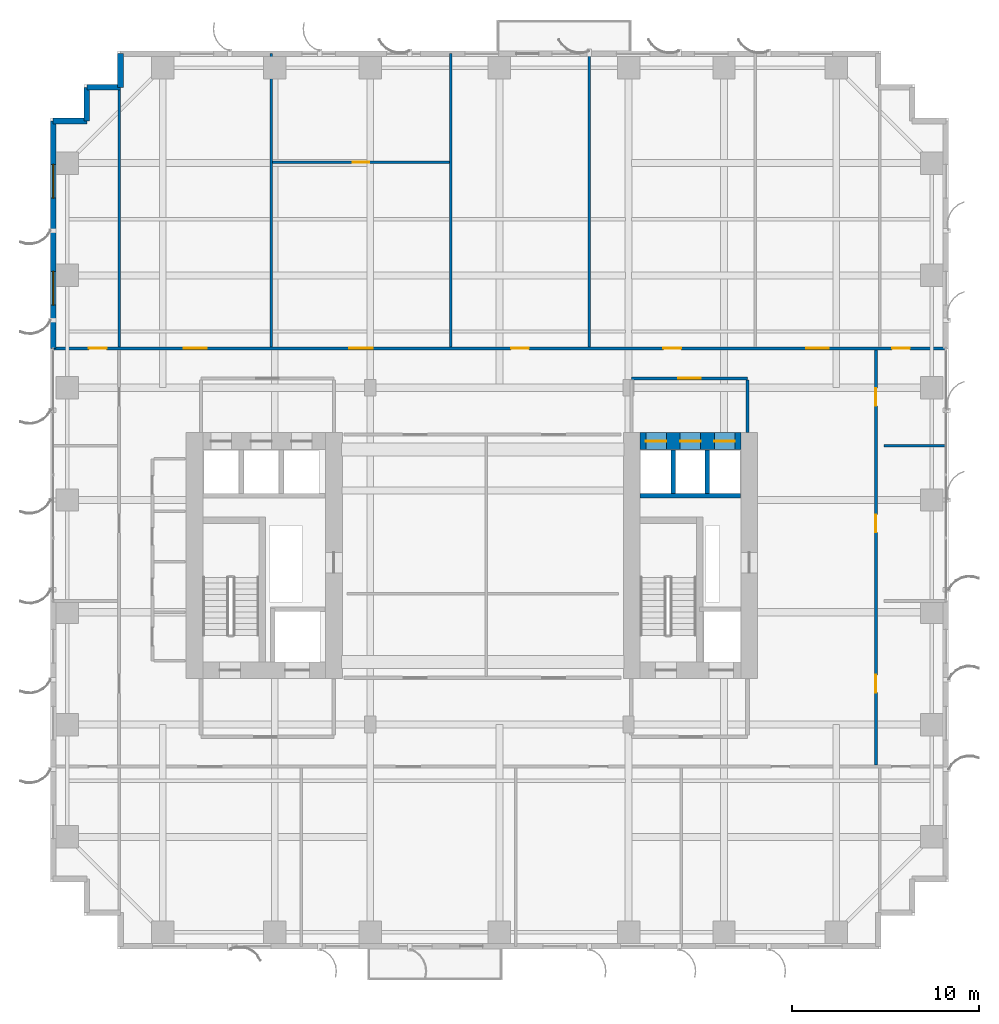
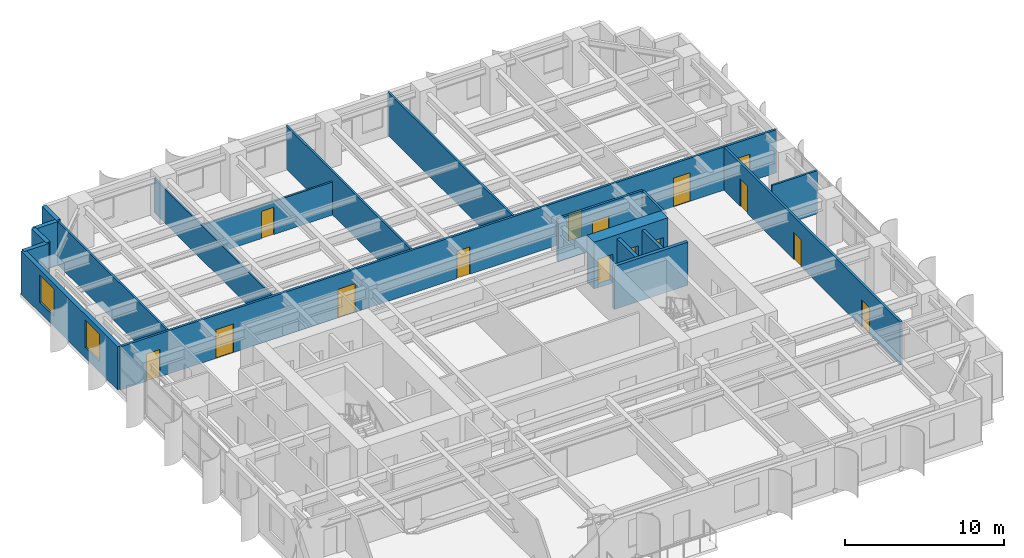
# One storey, part 11 of 16: 19 walls, 15 doors, 2 windows, 17 openings.
"""IFC4 building model written with IfcOpenShell, lengths in metres."""

from ifc_helpers import new_model, si_unit, direction, frame, frame_2d, origin, place, context, subcontext, project, spatial, rectangle, extrude, source, transform, mapped, material, layer, layer_set, type_object, element, fill, save


model = new_model("IFC4")

# Units and contexts
model_context = context("Model", 3, precision=1e-05, world=origin(), true_north=direction((0.0, 1.0)))
body_context = subcontext(model_context, "Body", "Model", "MODEL_VIEW")
ifc_project = project(units=[si_unit("LENGTHUNIT", "METRE"), si_unit("AREAUNIT", "SQUARE_METRE"), si_unit("VOLUMEUNIT", "CUBIC_METRE"), si_unit("PLANEANGLEUNIT", "RADIAN"), si_unit("MASSUNIT", "GRAM", prefix="KILO")], contexts=[model_context])

# Site, building, storey
site_placement = place(None, origin())
site = spatial("IfcSite", under=ifc_project, at=site_placement, CompositionType="ELEMENT")
building_placement = place(site_placement, origin())
building = spatial("IfcBuilding", under=site, at=building_placement, Name="Khoralis Quay Care Tower", CompositionType="ELEMENT")
storey_placement = place(building_placement, frame((0.0, 0.0, 29.699951171875)))
storey = spatial("IfcBuildingStorey", under=building, at=storey_placement, Name="L07", CompositionType="ELEMENT", Elevation=29.699951171875)

# Wall, openings, doors
ifc_material_1 = material(Name="Concrete C80/95", Category="concrete")
ifc_layer_1 = layer(ifc_material_1, 0.89990234375)
ifc_layer_set_1 = layer_set([ifc_layer_1], Name="Concrete C80/95")
wall_type_1 = type_object("IfcWallType", Name="WL-CORE-900", PredefinedType="SHEAR", material=ifc_layer_set_1)
wall_1_placement = place(storey_placement, frame((31.52001953125, 27.14990234375, 0.0), z_axis=(0.0, 0.0, 1.0), x_axis=(1.0, 0.0, 0.0)))
wall_1 = element("IfcWall", 1, at=wall_1_placement, inside=storey, type_object=wall_type_1, Name="L07 ECORE North Shear Wall", PredefinedType="SHEAR", context=body_context, shape_type="SweptSolid", body=[
    extrude(rectangle(XDim=5.3798828125, YDim=0.89990234375, at=frame_2d((2.68994140625, 0.0))), origin(), (0.0, 0.0, 1.0), 3.60009765625),
])
opening_1_placement = place(wall_1_placement, frame((0.300048828125, 0.0, 0.0)))
opening_1 = element("IfcOpeningElement", 2, at=opening_1_placement, cuts=wall_1, Name="Opening LD1", PredefinedType="OPENING", context=body_context, shape_type="SweptSolid", body=[
    extrude(rectangle(XDim=1.10009765625, YDim=2.199951171875, at=frame_2d((0.550048828125, 1.10009765625))), frame((0.0, 0.4599609375, 0.0), z_axis=(0.0, -1.0, 0.0), x_axis=(1.0, 0.0, 0.0)), (0.0, 0.0, 1.0), 0.919921875),
])
opening_2_placement = place(wall_1_placement, frame((2.1298828125, 0.0, 0.0)))
opening_2 = element("IfcOpeningElement", 3, at=opening_2_placement, cuts=wall_1, Name="Opening LD1", PredefinedType="OPENING", context=body_context, shape_type="SweptSolid", body=[
    extrude(rectangle(XDim=1.10009765625, YDim=2.199951171875, at=frame_2d((0.550048828125, 1.10009765625))), frame((0.0, 0.4599609375, 0.0), z_axis=(0.0, -1.0, 0.0), x_axis=(1.0, 0.0, 0.0)), (0.0, 0.0, 1.0), 0.919921875),
])
opening_3_placement = place(wall_1_placement, frame((3.9599609375, 0.0, 0.0)))
opening_3 = element("IfcOpeningElement", 4, at=opening_3_placement, cuts=wall_1, Name="Opening LD1", PredefinedType="OPENING", context=body_context, shape_type="SweptSolid", body=[
    extrude(rectangle(XDim=1.10009765625, YDim=2.199951171875, at=frame_2d((0.550048828125, 1.10009765625))), frame((0.0, 0.4599609375, 0.0), z_axis=(0.0, -1.0, 0.0), x_axis=(1.0, 0.0, 0.0)), (0.0, 0.0, 1.0), 0.919921875),
])
ifc_material_2 = material(Name="Brushed stainless steel", Category="steel")
door_type_1 = type_object("IfcDoorType", Name="DR-LIFT-1100X2200", OperationType="SLIDING_TO_LEFT", PredefinedType="DOOR", material=ifc_material_2)
shared_shape_1 = source(origin(), body_context, "Body", "SweptSolid", [
    extrude(rectangle(XDim=1.10009765625, YDim=2.199951171875, at=frame_2d((0.550048828125, 1.10009765625))), frame((0.0, 0.02490234375, 0.0), z_axis=(0.0, -1.0, 0.0), x_axis=(1.0, 0.0, 0.0)), (0.0, 0.0, 1.0), 0.050048828125),
])
door_1_placement = place(opening_1_placement, origin())
door_1 = element("IfcDoor", 5, at=door_1_placement, inside=storey, type_object=door_type_1, Name="L07 Lift PLL2 Landing Door", OperationType="SLIDING_TO_LEFT", OverallHeight=2.199951171875, OverallWidth=1.10009765625, PredefinedType="DOOR", context=body_context, shape_type="MappedRepresentation", body=[
    mapped(shared_shape_1, transform((0.0, 0.0, 0.0), scale=1.0)),
])
fill(opening_1, door_1)
door_2_placement = place(opening_2_placement, origin())
door_2 = element("IfcDoor", 6, at=door_2_placement, inside=storey, type_object=door_type_1, Name="L07 Lift PLM2 Landing Door", OperationType="SLIDING_TO_LEFT", OverallHeight=2.199951171875, OverallWidth=1.10009765625, PredefinedType="DOOR", context=body_context, shape_type="MappedRepresentation", body=[
    mapped(shared_shape_1, transform((0.0, 0.0, 0.0), scale=1.0)),
])
fill(opening_2, door_2)
door_3_placement = place(opening_3_placement, origin())
door_3 = element("IfcDoor", 7, at=door_3_placement, inside=storey, type_object=door_type_1, Name="L07 Lift PLH2 Landing Door", OperationType="SLIDING_TO_LEFT", OverallHeight=2.199951171875, OverallWidth=1.10009765625, PredefinedType="DOOR", context=body_context, shape_type="MappedRepresentation", body=[
    mapped(shared_shape_1, transform((0.0, 0.0, 0.0), scale=1.0)),
])
fill(opening_3, door_3)

# Wall, opening, door
ifc_material_3 = material(Name="Gypsum plasterboard on acoustic metal stud")
ifc_layer_2 = layer(ifc_material_3, 0.1650390625)
ifc_layer_set_2 = layer_set([ifc_layer_2], Name="Gypsum plasterboard on acoustic metal stud")
wall_type_2 = type_object("IfcWallType", Name="WL-CORR-165", PredefinedType="PARTITIONING", material=ifc_layer_set_2)
wall_2_placement = place(storey_placement, frame((31.050048828125, 30.5, 0.0), z_axis=(0.0, 0.0, 1.0), x_axis=(1.0, 0.0, 0.0)))
wall_2 = element("IfcWall", 8, at=wall_2_placement, inside=storey, type_object=wall_type_2, Name="L07 East Lift Lobby North Wall", PredefinedType="PARTITIONING", context=body_context, shape_type="SweptSolid", body=[
    extrude(rectangle(XDim=6.199951171875, YDim=0.1650390625, at=frame_2d((3.10009765625, 0.0))), origin(), (0.0, 0.0, 1.0), 3.320068359375),
])
opening_4_placement = place(wall_2_placement, frame((2.5, 0.0, 0.0)))
opening_4 = element("IfcOpeningElement", 9, at=opening_4_placement, cuts=wall_2, Name="Opening FD1", PredefinedType="OPENING", context=body_context, shape_type="SweptSolid", body=[
    extrude(rectangle(XDim=1.199951171875, YDim=2.199951171875, at=frame_2d((0.60009765625, 1.10009765625))), frame((0.0, 0.092529296875, 0.0), z_axis=(0.0, -1.0, 0.0), x_axis=(1.0, 0.0, 0.0)), (0.0, 0.0, 1.0), 0.18505859375),
])
ifc_material_4 = material(Name="Fire-rated painted steel", Category="steel")
door_type_2 = type_object("IfcDoorType", Name="DR-FFL-1200X2200", OperationType="NOTDEFINED", PredefinedType="DOOR", material=ifc_material_4)
shared_shape_2 = source(origin(), body_context, "Body", "SweptSolid", [
    extrude(rectangle(XDim=1.199951171875, YDim=2.199951171875, at=frame_2d((0.60009765625, 1.10009765625))), frame((0.0, 0.02490234375, 0.0), z_axis=(0.0, -1.0, 0.0), x_axis=(1.0, 0.0, 0.0)), (0.0, 0.0, 1.0), 0.050048828125),
])
door_4_placement = place(opening_4_placement, origin())
door_4 = element("IfcDoor", 10, at=door_4_placement, inside=storey, type_object=door_type_2, Name="L07 East Lift Lobby Double Door", OperationType="DOUBLE_DOOR_SINGLE_SWING", OverallHeight=2.199951171875, OverallWidth=1.199951171875, PredefinedType="DOOR", context=body_context, shape_type="MappedRepresentation", body=[
    mapped(shared_shape_2, transform((0.0, 0.0, 0.0), scale=1.0)),
])
fill(opening_4, door_4)

# Wall
wall_3_placement = place(storey_placement, frame((37.25, 27.6201171875, 0.0), z_axis=(0.0, 0.0, 1.0), x_axis=(0.0, 1.0, 0.0)))
element("IfcWall", 11, at=wall_3_placement, inside=storey, type_object=wall_type_2, Name="L07 East Lift Lobby East Wall", PredefinedType="PARTITIONING", context=body_context, shape_type="SweptSolid", body=[
    extrude(rectangle(XDim=2.802490234375, YDim=0.1650390625, at=frame_2d((1.4013671875, 0.0))), origin(), (0.0, 0.0, 1.0), 3.320068359375),
])

# Wall, openings, doors
wall_4_placement = place(storey_placement, frame((0.14501953125, 32.10009765625, 0.0), z_axis=(0.0, 0.0, 1.0), x_axis=(1.0, 0.0, 0.0)))
wall_4 = element("IfcWall", 12, at=wall_4_placement, inside=storey, type_object=wall_type_2, Name="L07 North Main Corridor Wall", PredefinedType="PARTITIONING", context=body_context, shape_type="SweptSolid", body=[
    extrude(rectangle(XDim=47.7099609375, YDim=0.1650390625, at=frame_2d((23.85498046875, 0.0))), origin(), (0.0, 0.0, 1.0), 3.320068359375),
])
opening_5_placement = place(wall_4_placement, frame((6.97509765625, 0.0, 0.0)))
opening_5 = element("IfcOpeningElement", 13, at=opening_5_placement, cuts=wall_4, Name="Opening CD1", PredefinedType="OPENING", context=body_context, shape_type="SweptSolid", body=[
    extrude(rectangle(XDim=1.25, YDim=2.199951171875, at=frame_2d((0.625, 1.10009765625))), frame((0.0, 0.092529296875, 0.0), z_axis=(0.0, -1.0, 0.0), x_axis=(1.0, 0.0, 0.0)), (0.0, 0.0, 1.0), 0.18505859375),
])
opening_6_placement = place(wall_4_placement, frame((15.8349609375, 0.0, 0.0)))
opening_6 = element("IfcOpeningElement", 14, at=opening_6_placement, cuts=wall_4, Name="Opening CD1", PredefinedType="OPENING", context=body_context, shape_type="SweptSolid", body=[
    extrude(rectangle(XDim=1.25, YDim=2.199951171875, at=frame_2d((0.625, 1.10009765625))), frame((0.0, 0.092529296875, 0.0), z_axis=(0.0, -1.0, 0.0), x_axis=(1.0, 0.0, 0.0)), (0.0, 0.0, 1.0), 0.18505859375),
])
opening_7_placement = place(wall_4_placement, frame((24.47998046875, 0.0, 0.0)))
opening_7 = element("IfcOpeningElement", 15, at=opening_7_placement, cuts=wall_4, Name="Opening ID1", PredefinedType="OPENING", context=body_context, shape_type="SweptSolid", body=[
    extrude(rectangle(XDim=0.949951171875, YDim=2.10009765625, at=frame_2d((0.47509765625, 1.050048828125))), frame((0.0, 0.092529296875, 0.0), z_axis=(0.0, -1.0, 0.0), x_axis=(1.0, 0.0, 0.0)), (0.0, 0.0, 1.0), 0.18505859375),
])
opening_8_placement = place(wall_4_placement, frame((32.610107421875, 0.0, 0.0)))
opening_8 = element("IfcOpeningElement", 16, at=opening_8_placement, cuts=wall_4, Name="Opening ID1", PredefinedType="OPENING", context=body_context, shape_type="SweptSolid", body=[
    extrude(rectangle(XDim=0.949951171875, YDim=2.10009765625, at=frame_2d((0.47509765625, 1.050048828125))), frame((0.0, 0.092529296875, 0.0), z_axis=(0.0, -1.0, 0.0), x_axis=(1.0, 0.0, 0.0)), (0.0, 0.0, 1.0), 0.18505859375),
])
opening_9_placement = place(wall_4_placement, frame((40.2451171875, 0.0, 0.0)))
opening_9 = element("IfcOpeningElement", 17, at=opening_9_placement, cuts=wall_4, Name="Opening FD1", PredefinedType="OPENING", context=body_context, shape_type="SweptSolid", body=[
    extrude(rectangle(XDim=1.199951171875, YDim=2.199951171875, at=frame_2d((0.60009765625, 1.10009765625))), frame((0.0, 0.092529296875, 0.0), z_axis=(0.0, -1.0, 0.0), x_axis=(1.0, 0.0, 0.0)), (0.0, 0.0, 1.0), 0.18505859375),
])
opening_10_placement = place(wall_4_placement, frame((1.919921875, 0.0, 0.0)))
opening_10 = element("IfcOpeningElement", 18, at=opening_10_placement, cuts=wall_4, Name="Opening ID1", PredefinedType="OPENING", context=body_context, shape_type="SweptSolid", body=[
    extrude(rectangle(XDim=0.949951171875, YDim=2.10009765625, at=frame_2d((0.47509765625, 1.050048828125))), frame((0.0, 0.092529296875, 0.0), z_axis=(0.0, -1.0, 0.0), x_axis=(1.0, 0.0, 0.0)), (0.0, 0.0, 1.0), 0.18505859375),
])
opening_11_placement = place(wall_4_placement, frame((44.840087890625, 0.0, 0.0)))
opening_11 = element("IfcOpeningElement", 19, at=opening_11_placement, cuts=wall_4, Name="Opening ID1", PredefinedType="OPENING", context=body_context, shape_type="SweptSolid", body=[
    extrude(rectangle(XDim=0.949951171875, YDim=2.10009765625, at=frame_2d((0.47509765625, 1.050048828125))), frame((0.0, 0.092529296875, 0.0), z_axis=(0.0, -1.0, 0.0), x_axis=(1.0, 0.0, 0.0)), (0.0, 0.0, 1.0), 0.18505859375),
])
door_5_placement = place(opening_9_placement, origin())
door_5 = element("IfcDoor", 20, at=door_5_placement, inside=storey, type_object=door_type_2, Name="L07 Senior Wellness Pharmacy Shop Door", OperationType="DOUBLE_DOOR_SINGLE_SWING", OverallHeight=2.199951171875, OverallWidth=1.199951171875, PredefinedType="DOOR", context=body_context, shape_type="MappedRepresentation", body=[
    mapped(shared_shape_2, transform((0.0, 0.0, 0.0), scale=1.0)),
])
fill(opening_9, door_5)
ifc_material_5 = material(Name="Acoustic hardwood timber", Category="wood")
door_type_3 = type_object("IfcDoorType", Name="DR-CARE-1250X2200", OperationType="NOTDEFINED", PredefinedType="DOOR", material=ifc_material_5)
shared_shape_3 = source(origin(), body_context, "Body", "SweptSolid", [
    extrude(rectangle(XDim=1.25, YDim=2.199951171875, at=frame_2d((0.625, 1.10009765625))), frame((0.0, 0.02490234375, 0.0), z_axis=(0.0, -1.0, 0.0), x_axis=(1.0, 0.0, 0.0)), (0.0, 0.0, 1.0), 0.050048828125),
])
door_6_placement = place(opening_5_placement, origin())
door_6 = element("IfcDoor", 21, at=door_6_placement, inside=storey, type_object=door_type_3, Name="L07 Physiotherapy Treatment Clinic Door", OperationType="SINGLE_SWING_LEFT", OverallHeight=2.199951171875, OverallWidth=1.25, PredefinedType="DOOR", context=body_context, shape_type="MappedRepresentation", body=[
    mapped(shared_shape_3, transform((0.0, 0.0, 0.0), scale=1.0)),
])
fill(opening_5, door_6)
door_7_placement = place(opening_6_placement, origin())
door_7 = element("IfcDoor", 22, at=door_7_placement, inside=storey, type_object=door_type_3, Name="L07 Geriatric Consultation Clinic Door", OperationType="SINGLE_SWING_RIGHT", OverallHeight=2.199951171875, OverallWidth=1.25, PredefinedType="DOOR", context=body_context, shape_type="MappedRepresentation", body=[
    mapped(shared_shape_3, transform((0.0, 0.0, 0.0), scale=1.0)),
])
fill(opening_6, door_7)
door_type_4 = type_object("IfcDoorType", Name="DR-ROOM-950X2100", OperationType="NOTDEFINED", PredefinedType="DOOR", material=ifc_material_5)
shared_shape_4 = source(origin(), body_context, "Body", "SweptSolid", [
    extrude(rectangle(XDim=0.949951171875, YDim=2.10009765625, at=frame_2d((0.47509765625, 1.050048828125))), frame((0.0, 0.02490234375, 0.0), z_axis=(0.0, -1.0, 0.0), x_axis=(1.0, 0.0, 0.0)), (0.0, 0.0, 1.0), 0.050048828125),
])
door_8_placement = place(opening_7_placement, origin())
door_8 = element("IfcDoor", 23, at=door_8_placement, inside=storey, type_object=door_type_4, Name="L07 Family Case Conference Room Door", OperationType="SINGLE_SWING_RIGHT", OverallHeight=2.10009765625, OverallWidth=0.949951171875, PredefinedType="DOOR", context=body_context, shape_type="MappedRepresentation", body=[
    mapped(shared_shape_4, transform((0.0, 0.0, 0.0), scale=1.0)),
])
fill(opening_7, door_8)
door_9_placement = place(opening_8_placement, origin())
door_9 = element("IfcDoor", 24, at=door_9_placement, inside=storey, type_object=door_type_4, Name="L07 Care Coordination Office Door", OperationType="SINGLE_SWING_LEFT", OverallHeight=2.10009765625, OverallWidth=0.949951171875, PredefinedType="DOOR", context=body_context, shape_type="MappedRepresentation", body=[
    mapped(shared_shape_4, transform((0.0, 0.0, 0.0), scale=1.0)),
])
fill(opening_8, door_9)
door_10_placement = place(opening_10_placement, origin())
door_10 = element("IfcDoor", 25, at=door_10_placement, inside=storey, type_object=door_type_4, Name="L07 NW Corner Door", OperationType="SINGLE_SWING_RIGHT", OverallHeight=2.10009765625, OverallWidth=0.949951171875, PredefinedType="DOOR", context=body_context, shape_type="MappedRepresentation", body=[
    mapped(shared_shape_4, transform((0.0, 0.0, 0.0), scale=1.0)),
])
fill(opening_10, door_10)
door_11_placement = place(opening_11_placement, origin())
door_11 = element("IfcDoor", 26, at=door_11_placement, inside=storey, type_object=door_type_4, Name="L07 NE Corner Door", OperationType="SINGLE_SWING_LEFT", OverallHeight=2.10009765625, OverallWidth=0.949951171875, PredefinedType="DOOR", context=body_context, shape_type="MappedRepresentation", body=[
    mapped(shared_shape_4, transform((0.0, 0.0, 0.0), scale=1.0)),
])
fill(opening_11, door_11)

wall_5_placement = place(storey_placement, frame((44.1201171875, 9.83740234375, 0.0), z_axis=(0.0, 0.0, 1.0), x_axis=(0.0, 1.0, 0.0)))
wall_5 = element("IfcWall", 27, at=wall_5_placement, inside=storey, type_object=wall_type_2, Name="L07 East Loop Corridor Wall", PredefinedType="PARTITIONING", context=body_context, shape_type="SweptSolid", body=[
    extrude(rectangle(XDim=22.18505859375, YDim=0.1650390625, at=frame_2d((11.092529296875, 0.0))), origin(), (0.0, 0.0, 1.0), 3.320068359375),
])
opening_12_placement = place(wall_5_placement, frame((3.867431640625, 0.0, 0.0)))
opening_12 = element("IfcOpeningElement", 28, at=opening_12_placement, cuts=wall_5, Name="Opening ID1", PredefinedType="OPENING", context=body_context, shape_type="SweptSolid", body=[
    extrude(rectangle(XDim=0.949951171875, YDim=2.10009765625, at=frame_2d((0.47509765625, 1.050048828125))), frame((0.0, 0.092529296875, 0.0), z_axis=(0.0, -1.0, 0.0), x_axis=(1.0, 0.0, 0.0)), (0.0, 0.0, 1.0), 0.18505859375),
])
opening_13_placement = place(wall_5_placement, frame((12.4375, 0.0, 0.0)))
opening_13 = element("IfcOpeningElement", 29, at=opening_13_placement, cuts=wall_5, Name="Opening ID1", PredefinedType="OPENING", context=body_context, shape_type="SweptSolid", body=[
    extrude(rectangle(XDim=0.949951171875, YDim=2.10009765625, at=frame_2d((0.47509765625, 1.050048828125))), frame((0.0, 0.092529296875, 0.0), z_axis=(0.0, -1.0, 0.0), x_axis=(1.0, 0.0, 0.0)), (0.0, 0.0, 1.0), 0.18505859375),
])
opening_14_placement = place(wall_5_placement, frame((19.1875, 0.0, 0.0)))
opening_14 = element("IfcOpeningElement", 30, at=opening_14_placement, cuts=wall_5, Name="Opening ID1", PredefinedType="OPENING", context=body_context, shape_type="SweptSolid", body=[
    extrude(rectangle(XDim=0.949951171875, YDim=2.10009765625, at=frame_2d((0.47509765625, 1.050048828125))), frame((0.0, 0.092529296875, 0.0), z_axis=(0.0, -1.0, 0.0), x_axis=(1.0, 0.0, 0.0)), (0.0, 0.0, 1.0), 0.18505859375),
])
door_12_placement = place(opening_12_placement, frame((0.949951171875, 0.0, 0.0), z_axis=(0.0, 0.0, 1.0), x_axis=(-1.0, 0.0, 0.0)))
door_12 = element("IfcDoor", 31, at=door_12_placement, inside=storey, type_object=door_type_4, Name="L07 Therapy Consultation Room Door", OperationType="SINGLE_SWING_LEFT", OverallHeight=2.10009765625, OverallWidth=0.949951171875, PredefinedType="DOOR", context=body_context, shape_type="MappedRepresentation", body=[
    mapped(shared_shape_4, transform((0.0, 0.0, 0.0), scale=1.0)),
])
fill(opening_12, door_12)
door_13_placement = place(opening_13_placement, frame((0.949951171875, 0.0, 0.0), z_axis=(0.0, 0.0, 1.0), x_axis=(-1.0, 0.0, 0.0)))
door_13 = element("IfcDoor", 32, at=door_13_placement, inside=storey, type_object=door_type_4, Name="L07 Assisted Activity Lounge Door", OperationType="SINGLE_SWING_RIGHT", OverallHeight=2.10009765625, OverallWidth=0.949951171875, PredefinedType="DOOR", context=body_context, shape_type="MappedRepresentation", body=[
    mapped(shared_shape_4, transform((0.0, 0.0, 0.0), scale=1.0)),
])
fill(opening_13, door_13)
door_14_placement = place(opening_14_placement, frame((0.949951171875, 0.0, 0.0), z_axis=(0.0, 0.0, 1.0), x_axis=(-1.0, 0.0, 0.0)))
door_14 = element("IfcDoor", 33, at=door_14_placement, inside=storey, type_object=door_type_4, Name="L07 Nurse Charting Office Door", OperationType="SINGLE_SWING_LEFT", OverallHeight=2.10009765625, OverallWidth=0.949951171875, PredefinedType="DOOR", context=body_context, shape_type="MappedRepresentation", body=[
    mapped(shared_shape_4, transform((0.0, 0.0, 0.0), scale=1.0)),
])
fill(opening_14, door_14)

# Walls
ifc_material_6 = material(Name="Precast concrete C45/55", Category="concrete")
ifc_layer_3 = layer(ifc_material_6, 0.300048828125)
ifc_layer_set_3 = layer_set([ifc_layer_3], Name="Precast concrete C45/55")
wall_type_3 = type_object("IfcWallType", Name="WL-EXT-REF-300", PredefinedType="SOLIDWALL", material=ifc_layer_set_3)
for number, where, z_axis, x_axis, name in (
    (34, (3.75, 47.85009765625, 0.0), (0.0, 0.0, 1.0), (0.0, -1.0, 0.0), "L07 External Facade Wall WL-EXT-L07-P1-C11"),
    (35, (3.75, 46.050048828125, 0.0), (0.0, 0.0, 1.0), (-1.0, 0.0, 0.0), "L07 External Facade Wall WL-EXT-L07-P1-C12"),
    (36, (1.949951171875, 46.050048828125, 0.0), (0.0, 0.0, 1.0), (0.0, -1.0, 0.0), "L07 External Facade Wall WL-EXT-L07-P1-C13"),
    (37, (1.949951171875, 44.25, 0.0), (0.0, 0.0, 1.0), (-1.0, 0.0, 0.0), "L07 External Facade Wall WL-EXT-L07-P1-C14"),
):
    element("IfcWall", number, at=place(storey_placement, frame(where, z_axis=z_axis, x_axis=x_axis)), inside=storey, type_object=wall_type_3, Name=name, PredefinedType="SOLIDWALL", context=body_context, shape_type="SweptSolid", body=[
        extrude(rectangle(XDim=1.800048828125, YDim=0.300048828125, at=frame_2d((0.89990234375, 0.0))), origin(), (0.0, 0.0, 1.0), 3.320068359375),
    ])

# Wall, openings, windows
wall_6_placement = place(storey_placement, frame((0.14990234375, 44.25, 0.0), z_axis=(0.0, 0.0, 1.0), x_axis=(0.0, -1.0, 0.0)))
wall_6 = element("IfcWall", 38, at=wall_6_placement, inside=storey, type_object=wall_type_3, Name="L07 External Facade Wall WL-EXT-L07-P1-E15A", PredefinedType="SOLIDWALL", context=body_context, shape_type="SweptSolid", body=[
    extrude(rectangle(XDim=12.14990234375, YDim=0.300048828125, at=frame_2d((6.074951171875, 0.0))), origin(), (0.0, 0.0, 1.0), 3.320068359375),
])
opening_15_placement = place(wall_6_placement, frame((2.3173828125, 0.0, 0.800048828125)))
opening_15 = element("IfcOpeningElement", 39, at=opening_15_placement, cuts=wall_6, Name="Opening W2", PredefinedType="OPENING", context=body_context, shape_type="SweptSolid", body=[
    extrude(rectangle(XDim=1.800048828125, YDim=2.10009765625, at=frame_2d((0.89990234375, 1.050048828125))), frame((0.0, 0.16015625, 0.0), z_axis=(0.0, -1.0, 0.0), x_axis=(1.0, 0.0, 0.0)), (0.0, 0.0, 1.0), 0.320068359375),
])
opening_16_placement = place(wall_6_placement, frame((8.032470703125, 0.0, 0.800048828125)))
opening_16 = element("IfcOpeningElement", 40, at=opening_16_placement, cuts=wall_6, Name="Opening W2", PredefinedType="OPENING", context=body_context, shape_type="SweptSolid", body=[
    extrude(rectangle(XDim=1.800048828125, YDim=2.10009765625, at=frame_2d((0.89990234375, 1.050048828125))), frame((0.0, 0.16015625, 0.0), z_axis=(0.0, -1.0, 0.0), x_axis=(1.0, 0.0, 0.0)), (0.0, 0.0, 1.0), 0.320068359375),
])
ifc_material_7 = material(Name="Low-E solar-control double glazing", Category="glass")
window_type = type_object("IfcWindowType", Name="WN-POD-1800X2100", PartitioningType="SINGLE_PANEL", PredefinedType="WINDOW", material=ifc_material_7)
shared_shape_5 = source(origin(), body_context, "Body", "SweptSolid", [
    extrude(rectangle(XDim=1.800048828125, YDim=2.10009765625, at=frame_2d((0.89990234375, 1.050048828125))), frame((0.0, 0.030029296875, 0.0), z_axis=(0.0, -1.0, 0.0), x_axis=(1.0, 0.0, 0.0)), (0.0, 0.0, 1.0), 0.06005859375),
])
window_1_placement = place(opening_15_placement, origin())
window_1 = element("IfcWindow", 41, at=window_1_placement, inside=storey, type_object=window_type, Name="WN-L07-P1-E15A Facade Window 01", OverallHeight=2.10009765625, OverallWidth=1.800048828125, PartitioningType="SINGLE_PANEL", PredefinedType="WINDOW", context=body_context, shape_type="MappedRepresentation", body=[
    mapped(shared_shape_5, transform((0.0, 0.0, 0.0), scale=1.0)),
])
fill(opening_15, window_1)
window_2_placement = place(opening_16_placement, origin())
window_2 = element("IfcWindow", 42, at=window_2_placement, inside=storey, type_object=window_type, Name="WN-L07-P1-E15A Facade Window 02", OverallHeight=2.10009765625, OverallWidth=1.800048828125, PartitioningType="SINGLE_PANEL", PredefinedType="WINDOW", context=body_context, shape_type="MappedRepresentation", body=[
    mapped(shared_shape_5, transform((0.0, 0.0, 0.0), scale=1.0)),
])
fill(opening_16, window_2)

# Walls
ifc_layer_4 = layer(ifc_material_3, 0.239990234375)
ifc_layer_set_4 = layer_set([ifc_layer_4], Name="Gypsum plasterboard on acoustic metal stud")
wall_type_4 = type_object("IfcWallType", Name="WL-SHAFT-240", PredefinedType="PARTITIONING", material=ifc_layer_set_4)
wall_7_placement = place(storey_placement, frame((31.52001953125, 24.22998046875, 0.0), z_axis=(0.0, 0.0, 1.0), x_axis=(1.0, 0.0, 0.0)))
element("IfcWall", 43, at=wall_7_placement, inside=storey, type_object=wall_type_4, Name="L07 East Passenger Shaft South Wall", PredefinedType="PARTITIONING", context=body_context, shape_type="SweptSolid", body=[
    extrude(rectangle(XDim=5.35986328125, YDim=0.239990234375, at=frame_2d((2.679931640625, 0.0))), origin(), (0.0, 0.0, 1.0), 3.320068359375),
])
for number, where, z_axis, x_axis, name in (
    (44, (33.2900390625, 24.344970703125, 0.0), (0.0, 0.0, 1.0), (0.0, 1.0, 0.0), "L07 East Shaft Divider 1"),
    (45, (35.110107421875, 24.344970703125, 0.0), (0.0, 0.0, 1.0), (0.0, 1.0, 0.0), "L07 East Shaft Divider 2"),
):
    element("IfcWall", number, at=place(storey_placement, frame(where, z_axis=z_axis, x_axis=x_axis)), inside=storey, type_object=wall_type_4, Name=name, PredefinedType="PARTITIONING", context=body_context, shape_type="SweptSolid", body=[
        extrude(rectangle(XDim=2.3349609375, YDim=0.239990234375, at=frame_2d((1.16748046875, 0.0))), origin(), (0.0, 0.0, 1.0), 3.320068359375),
    ])
ifc_layer_5 = layer(ifc_material_3, 0.139892578125)
ifc_layer_set_5 = layer_set([ifc_layer_5], Name="Gypsum plasterboard on acoustic metal stud")
wall_type_5 = type_object("IfcWallType", Name="WL-UNIT-140", PredefinedType="PARTITIONING", material=ifc_layer_set_5)
wall_8_placement = place(storey_placement, frame((44.5400390625, 26.89990234375, 0.0), z_axis=(0.0, 0.0, 1.0), x_axis=(1.0, 0.0, 0.0)))
element("IfcWall", 46, at=wall_8_placement, inside=storey, type_object=wall_type_5, Name="L07 EE Divider 2", PredefinedType="PARTITIONING", context=body_context, shape_type="SweptSolid", body=[
    extrude(rectangle(XDim=3.31494140625, YDim=0.139892578125, at=frame_2d((1.657470703125, 0.0))), origin(), (0.0, 0.0, 1.0), 3.320068359375),
])
wall_9_placement = place(storey_placement, frame((3.679931640625, 32.177490234375, 0.0), z_axis=(0.0, 0.0, 1.0), x_axis=(0.0, 1.0, 0.0)))
element("IfcWall", 47, at=wall_9_placement, inside=storey, type_object=wall_type_5, Name="L07 NB Demising Wall 0", PredefinedType="PARTITIONING", context=body_context, shape_type="SweptSolid", body=[
    extrude(rectangle(XDim=13.87744140625, YDim=0.139892578125, at=frame_2d((6.938720703125, 0.0))), origin(), (0.0, 0.0, 1.0), 3.320068359375),
])
wall_10_placement = place(storey_placement, frame((11.81005859375, 32.177490234375, 0.0), z_axis=(0.0, 0.0, 1.0), x_axis=(0.0, 1.0, 0.0)))
element("IfcWall", 48, at=wall_10_placement, inside=storey, type_object=wall_type_5, Name="L07 NB Demising Wall 1", PredefinedType="PARTITIONING", context=body_context, shape_type="SweptSolid", body=[
    extrude(rectangle(XDim=15.677490234375, YDim=0.139892578125, at=frame_2d((7.8388671875, 0.0))), origin(), (0.0, 0.0, 1.0), 2.625),
])
for number, where, z_axis, x_axis, name in (
    (49, (21.39990234375, 32.177490234375, 0.0), (0.0, 0.0, 1.0), (0.0, 1.0, 0.0), "L07 NB Demising Wall 2"),
    (50, (28.800048828125, 32.177490234375, 0.0), (0.0, 0.0, 1.0), (0.0, 1.0, 0.0), "L07 NB Demising Wall 3"),
):
    element("IfcWall", number, at=place(storey_placement, frame(where, z_axis=z_axis, x_axis=x_axis)), inside=storey, type_object=wall_type_5, Name=name, PredefinedType="PARTITIONING", context=body_context, shape_type="SweptSolid", body=[
        extrude(rectangle(XDim=15.677490234375, YDim=0.139892578125, at=frame_2d((7.8388671875, 0.0))), origin(), (0.0, 0.0, 1.0), 3.320068359375),
    ])

# Wall, opening, door
wall_11_placement = place(storey_placement, frame((11.875, 42.0400390625, 0.0), z_axis=(0.0, 0.0, 1.0), x_axis=(1.0, 0.0, 0.0)))
wall_11 = element("IfcWall", 51, at=wall_11_placement, inside=storey, type_object=wall_type_5, Name="Geriatric Consultation Clinic L07-NB1 Sub-Partition", PredefinedType="PARTITIONING", context=body_context, shape_type="SweptSolid", body=[
    extrude(rectangle(XDim=9.4599609375, YDim=0.139892578125, at=frame_2d((4.72998046875, 0.0))), origin(), (0.0, 0.0, 1.0), 2.547119140625),
])
opening_17_placement = place(wall_11_placement, frame((4.280029296875, 0.0, 0.0)))
opening_17 = element("IfcOpeningElement", 52, at=opening_17_placement, cuts=wall_11, Name="Opening WD1", PredefinedType="OPENING", context=body_context, shape_type="SweptSolid", body=[
    extrude(rectangle(XDim=0.89990234375, YDim=2.10009765625, at=frame_2d((0.449951171875, 1.050048828125))), frame((0.0, 0.080078125, 0.0), z_axis=(0.0, -1.0, 0.0), x_axis=(1.0, 0.0, 0.0)), (0.0, 0.0, 1.0), 0.159912109375),
])
door_type_5 = type_object("IfcDoorType", Name="DR-BATH-900X2100", OperationType="NOTDEFINED", PredefinedType="DOOR", material=ifc_material_5)
shared_shape_6 = source(origin(), body_context, "Body", "SweptSolid", [
    extrude(rectangle(XDim=0.89990234375, YDim=2.10009765625, at=frame_2d((0.449951171875, 1.050048828125))), frame((0.0, 0.02490234375, 0.0), z_axis=(0.0, -1.0, 0.0), x_axis=(1.0, 0.0, 0.0)), (0.0, 0.0, 1.0), 0.050048828125),
])
door_15_placement = place(opening_17_placement, frame((0.89990234375, 0.0, 0.0), z_axis=(0.0, 0.0, 1.0), x_axis=(-1.0, 0.0, 0.0)))
door_15 = element("IfcDoor", 53, at=door_15_placement, inside=storey, type_object=door_type_5, Name="Diagnostic Assessment Clinic L07 Door", OperationType="SINGLE_SWING_LEFT", OverallHeight=2.10009765625, OverallWidth=0.89990234375, PredefinedType="DOOR", context=body_context, shape_type="MappedRepresentation", body=[
    mapped(shared_shape_6, transform((0.0, 0.0, 0.0), scale=1.0)),
])
fill(opening_17, door_15)

save(model, "model.ifc")
